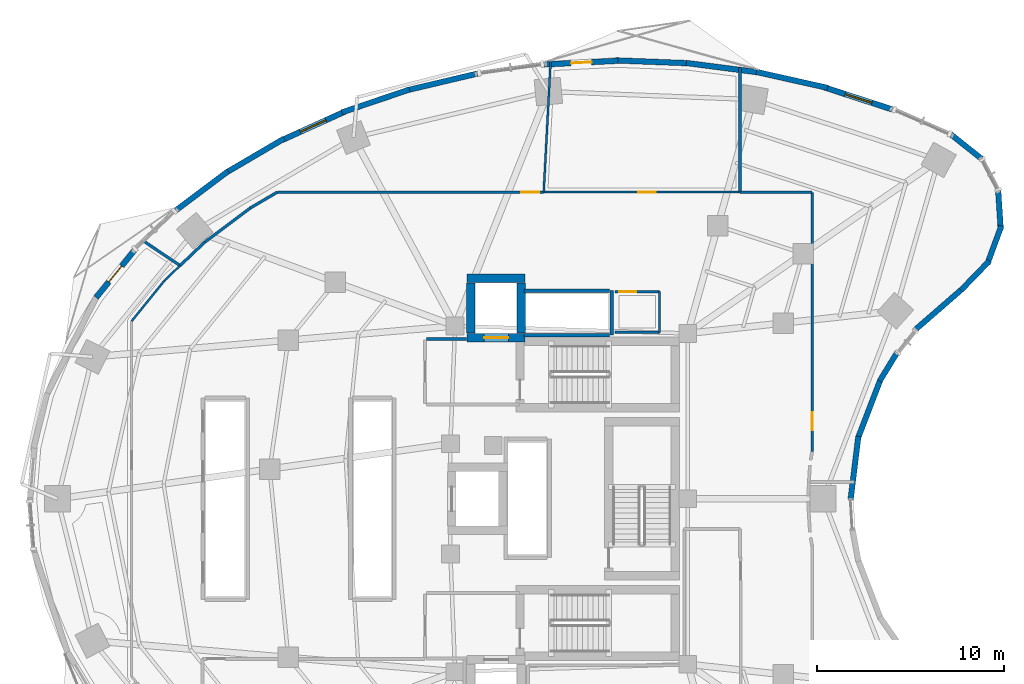
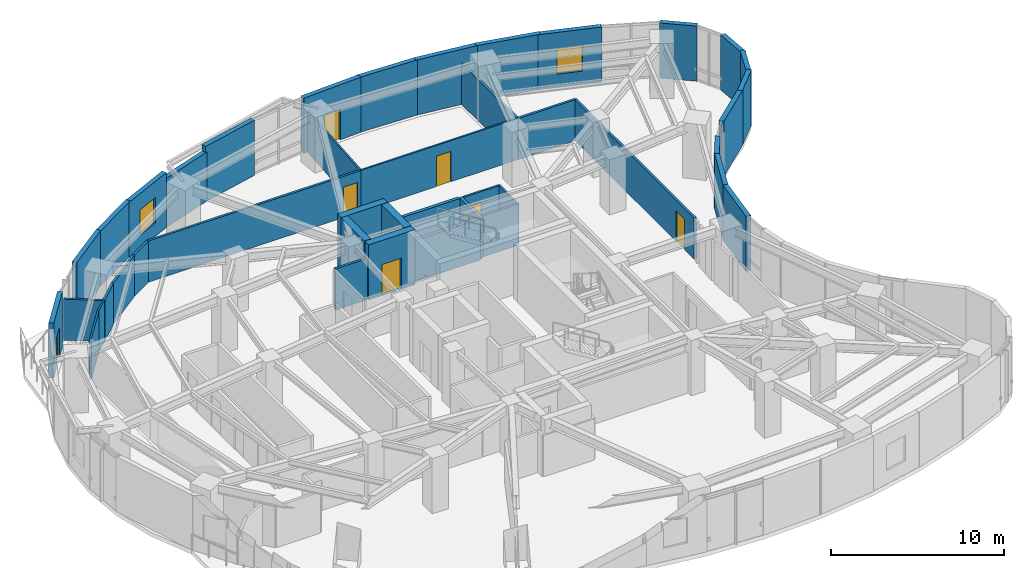
# One storey, part 10 of 14: 42 walls, 7 doors, 2 windows, 9 openings.
"""IFC4 building model written with IfcOpenShell, lengths in metres."""

from ifc_helpers import new_model, si_unit, direction, frame, frame_2d, origin, place, context, subcontext, project, spatial, rectangle, extrude, material, layer, layer_set, type_object, element, fill, save


model = new_model("IFC4")

# Units and contexts
model_context = context("Model", 3, precision=1e-05, world=origin(), true_north=direction((0.0, 1.0)))
body_context = subcontext(model_context, "Body", "Model", "MODEL_VIEW")
ifc_project = project(units=[si_unit("LENGTHUNIT", "METRE"), si_unit("AREAUNIT", "SQUARE_METRE"), si_unit("VOLUMEUNIT", "CUBIC_METRE"), si_unit("PLANEANGLEUNIT", "RADIAN"), si_unit("MASSUNIT", "GRAM", prefix="KILO")], contexts=[model_context])

# Site, building, storey
site_placement = place(None, origin())
site = spatial("IfcSite", under=ifc_project, at=site_placement, CompositionType="ELEMENT")
building_placement = place(site_placement, origin())
building = spatial("IfcBuilding", under=site, at=building_placement, Name="Korentha Bioscience Tower", CompositionType="ELEMENT")
storey_placement = place(building_placement, frame((0.0, 0.0, 63.60009765625)))
storey = spatial("IfcBuildingStorey", under=building, at=storey_placement, Name="L14", CompositionType="ELEMENT", Elevation=63.60009765625)

# Wall, opening, door
ifc_material_1 = material(Name="Double-Stud Acoustic Gypsum", Category="gypsum")
ifc_layer_1 = layer(ifc_material_1, 0.14990234375, Name="Double-Stud Acoustic Gypsum")
ifc_layer_set_1 = layer_set([ifc_layer_1], Name="Double-Stud Acoustic Gypsum (IW-L150)")
wall_type_1 = type_object("IfcWallType", Name="Acoustic Laboratory Partition Wall 150", PredefinedType="PARTITIONING", material=ifc_layer_set_1)
wall_1_placement = place(storey_placement, frame((44.2099609375, 29.529541015625, 0.0), z_axis=(0.0, 0.0, 1.0), x_axis=(0.0, 1.0, 0.0)))
wall_1 = element("IfcWall", 1, at=wall_1_placement, inside=storey, type_object=wall_type_1, Name="L14 Principal Investigator Office 03 Entrance Wall", PredefinedType="PARTITIONING", context=body_context, shape_type="SweptSolid", body=[
    extrude(rectangle(XDim=13.870361328125, YDim=0.14990234375, at=frame_2d((6.93505859375, 0.0))), origin(), (0.0, 0.0, 1.0), 2.909912109375),
])
opening_1_placement = place(wall_1_placement, frame((1.150634765625, 0.0, 0.0)))
opening_1 = element("IfcOpeningElement", 2, at=opening_1_placement, cuts=wall_1, Name="Opening ID-10R", PredefinedType="OPENING", context=body_context, shape_type="SweptSolid", body=[
    extrude(rectangle(XDim=0.949951171875, YDim=2.14990234375, at=frame_2d((0.47509765625, 1.074951171875))), frame((0.0, 0.08984375, 0.0), z_axis=(0.0, -1.0, 0.0), x_axis=(1.0, 0.0, 0.0)), (0.0, 0.0, 1.0), 0.1796875),
])
ifc_material_2 = material(Name="Phenolic Laminate Timber Core", Category="wood")
door_type_1 = type_object("IfcDoorType", Name="Laboratory Single Leaf Door 950x2150 Right", OperationType="SINGLE_SWING_RIGHT", PredefinedType="DOOR", material=ifc_material_2)
door_1_placement = place(opening_1_placement, origin())
door_1 = element("IfcDoor", 3, at=door_1_placement, inside=storey, type_object=door_type_1, Name="L14 Principal Investigator Office 03 Door", OperationType="SINGLE_SWING_RIGHT", OverallHeight=2.14990234375, OverallWidth=0.949951171875, PredefinedType="DOOR", context=body_context, shape_type="SweptSolid", body=[
    extrude(rectangle(XDim=0.949951171875, YDim=2.14990234375, at=frame_2d((0.47509765625, 1.074951171875))), frame((0.0, 0.02490234375, 0.0), z_axis=(0.0, -1.0, 0.0), x_axis=(1.0, 0.0, 0.0)), (0.0, 0.0, 1.0), 0.050048828125),
])
fill(opening_1, door_1)

wall_2_placement = place(storey_placement, frame((29.83349609375, 43.409912109375, 0.0), z_axis=(0.0, 0.0, 1.0), x_axis=(-1.0, 0.0, 0.0)))
wall_2 = element("IfcWall", 4, at=wall_2_placement, inside=storey, type_object=wall_type_1, Name="L14 Sterile Media Preparation Kitchen 05 Entrance Wall", PredefinedType="PARTITIONING", context=body_context, shape_type="SweptSolid", body=[
    extrude(rectangle(XDim=14.24267578125, YDim=0.14990234375, at=frame_2d((7.121337890625, 0.0))), origin(), (0.0, 0.0, 1.0), 2.909912109375),
])
opening_2_placement = place(wall_2_placement, frame((0.239990234375, 0.0, 0.0)))
opening_2 = element("IfcOpeningElement", 5, at=opening_2_placement, cuts=wall_2, Name="Opening ID-10R", PredefinedType="OPENING", context=body_context, shape_type="SweptSolid", body=[
    extrude(rectangle(XDim=0.949951171875, YDim=2.14990234375, at=frame_2d((0.47509765625, 1.074951171875))), frame((0.0, 0.08984375, 0.0), z_axis=(0.0, -1.0, 0.0), x_axis=(1.0, 0.0, 0.0)), (0.0, 0.0, 1.0), 0.1796875),
])
door_2_placement = place(opening_2_placement, origin())
door_2 = element("IfcDoor", 6, at=door_2_placement, inside=storey, type_object=door_type_1, Name="L14 Sterile Media Preparation Kitchen 05 Door", OperationType="SINGLE_SWING_RIGHT", OverallHeight=2.14990234375, OverallWidth=0.949951171875, PredefinedType="DOOR", context=body_context, shape_type="SweptSolid", body=[
    extrude(rectangle(XDim=0.949951171875, YDim=2.14990234375, at=frame_2d((0.47509765625, 1.074951171875))), frame((0.0, 0.02490234375, 0.0), z_axis=(0.0, -1.0, 0.0), x_axis=(1.0, 0.0, 0.0)), (0.0, 0.0, 1.0), 0.050048828125),
])
fill(opening_2, door_2)

# Walls
wall_3_placement = place(storey_placement, frame((44.199951171875, 43.409912109375, 0.0), z_axis=(0.0, 0.0, 1.0), x_axis=(-1.0, 0.0, 0.0)))
element("IfcWall", 7, at=wall_3_placement, inside=storey, type_object=wall_type_1, Name="L14 Interior Partition 036", PredefinedType="PARTITIONING", context=body_context, shape_type="SweptSolid", body=[
    extrude(rectangle(XDim=3.847900390625, YDim=0.14990234375, at=frame_2d((1.923828125, 0.0))), origin(), (0.0, 0.0, 1.0), 2.909912109375),
])
wall_4_placement = place(storey_placement, frame((40.35205078125, 43.409912109375, 0.0), z_axis=(0.0, 0.0, 1.0), x_axis=(0.0, 1.0, 0.0)))
element("IfcWall", 8, at=wall_4_placement, inside=storey, type_object=wall_type_1, Name="L14 Interior Partition 037", PredefinedType="PARTITIONING", context=body_context, shape_type="SweptSolid", body=[
    extrude(rectangle(XDim=6.65869140625, YDim=0.14990234375, at=frame_2d((3.329345703125, 0.0))), origin(), (0.0, 0.0, 1.0), 2.909912109375),
])
wall_5_placement = place(storey_placement, frame((15.585693359375, 43.40869140625, 0.0), z_axis=(0.0, 0.0, 1.0), x_axis=(-0.862446636904, -0.506148000582, 0.0)))
element("IfcWall", 9, at=wall_5_placement, inside=storey, type_object=wall_type_1, Name="L14 Interior Partition 039", PredefinedType="PARTITIONING", context=body_context, shape_type="SweptSolid", body=[
    extrude(rectangle(XDim=1.652099609375, YDim=0.14990234375, at=frame_2d((0.826171875, 0.0))), origin(), (0.0, 0.0, 1.0), 2.909912109375),
])
wall_6_placement = place(storey_placement, frame((14.159912109375, 42.57177734375, 0.0), z_axis=(0.0, 0.0, 1.0), x_axis=(-0.800808090092, -0.598921032227, 0.0)))
element("IfcWall", 10, at=wall_6_placement, inside=storey, type_object=wall_type_1, Name="L14 Interior Partition 040", PredefinedType="PARTITIONING", context=body_context, shape_type="SweptSolid", body=[
    extrude(rectangle(XDim=3.078857421875, YDim=0.14990234375, at=frame_2d((1.53955078125, 0.0))), origin(), (0.0, 0.0, 1.0), 2.909912109375),
])
wall_7_placement = place(storey_placement, frame((11.693359375, 40.72705078125, 0.0), z_axis=(0.0, 0.0, 1.0), x_axis=(-0.723662214514, -0.690154330048, 0.0)))
element("IfcWall", 11, at=wall_7_placement, inside=storey, type_object=wall_type_1, Name="L14 Interior Partition 041", PredefinedType="PARTITIONING", context=body_context, shape_type="SweptSolid", body=[
    extrude(rectangle(XDim=1.806884765625, YDim=0.14990234375, at=frame_2d((0.9033203125, 0.0))), origin(), (0.0, 0.0, 1.0), 2.909912109375),
])
wall_8_placement = place(storey_placement, frame((10.3857421875, 39.47998046875, 0.0), z_axis=(0.0, 0.0, 1.0), x_axis=(-0.830276202789, 0.557352157152, 0.0)))
element("IfcWall", 12, at=wall_8_placement, inside=storey, type_object=wall_type_1, Name="L14 Interior Partition 042", PredefinedType="PARTITIONING", context=body_context, shape_type="SweptSolid", body=[
    extrude(rectangle(XDim=2.461669921875, YDim=0.14990234375, at=frame_2d((1.23095703125, 0.0))), origin(), (0.0, 0.0, 1.0), 2.909912109375),
])

# Wall, opening, door
ifc_material_3 = material(Name="Fire-Rated Framed Glass", Category="glass")
ifc_layer_2 = layer(ifc_material_3, 0.110107421875, Name="Fire-Rated Framed Glass")
ifc_layer_set_2 = layer_set([ifc_layer_2], Name="Fire-Rated Framed Glass (IW-G110)")
wall_type_2 = type_object("IfcWallType", Name="Demountable Glazed Office Partition 110", PredefinedType="MOVABLE", material=ifc_layer_set_2)
wall_9_placement = place(storey_placement, frame((40.342041015625, 43.409912109375, 0.0), z_axis=(0.0, 0.0, 1.0), x_axis=(-1.0, 0.0, 0.0)))
wall_9 = element("IfcWall", 13, at=wall_9_placement, inside=storey, type_object=wall_type_2, Name="L14 Research Colloquium Seminar Room 04 Entrance Wall", PredefinedType="MOVABLE", context=body_context, shape_type="SweptSolid", body=[
    extrude(rectangle(XDim=10.49853515625, YDim=0.110107421875, at=frame_2d((5.249267578125, 0.0))), origin(), (0.0, 0.0, 1.0), 2.909912109375),
])
opening_3_placement = place(wall_9_placement, frame((4.49853515625, 0.0, 0.0)))
opening_3 = element("IfcOpeningElement", 14, at=opening_3_placement, cuts=wall_9, Name="Opening ID-10L", PredefinedType="OPENING", context=body_context, shape_type="SweptSolid", body=[
    extrude(rectangle(XDim=0.949951171875, YDim=2.14990234375, at=frame_2d((0.47509765625, 1.074951171875))), frame((0.0, 0.06982421875, 0.0), z_axis=(0.0, -1.0, 0.0), x_axis=(1.0, 0.0, 0.0)), (0.0, 0.0, 1.0), 0.139892578125),
])
door_type_2 = type_object("IfcDoorType", Name="Laboratory Single Leaf Door 950x2150 Left", OperationType="SINGLE_SWING_LEFT", PredefinedType="DOOR", material=ifc_material_2)
door_3_placement = place(opening_3_placement, origin())
door_3 = element("IfcDoor", 15, at=door_3_placement, inside=storey, type_object=door_type_2, Name="L14 Research Colloquium Seminar Room 04 Door", OperationType="SINGLE_SWING_LEFT", OverallHeight=2.14990234375, OverallWidth=0.949951171875, PredefinedType="DOOR", context=body_context, shape_type="SweptSolid", body=[
    extrude(rectangle(XDim=0.949951171875, YDim=2.14990234375, at=frame_2d((0.47509765625, 1.074951171875))), frame((0.0, 0.02490234375, 0.0), z_axis=(0.0, -1.0, 0.0), x_axis=(1.0, 0.0, 0.0)), (0.0, 0.0, 1.0), 0.050048828125),
])
fill(opening_3, door_3)

# Walls
wall_10_placement = place(storey_placement, frame((29.843505859375, 43.409912109375, 0.0), z_axis=(0.0, 0.0, 1.0), x_axis=(0.052809646161, 0.998604597061, 0.0)))
element("IfcWall", 16, at=wall_10_placement, inside=storey, type_object=wall_type_2, Name="L14 Interior Partition 038", PredefinedType="MOVABLE", context=body_context, shape_type="SweptSolid", body=[
    extrude(rectangle(XDim=6.999267578125, YDim=0.110107421875, at=frame_2d((3.49951171875, 0.0))), origin(), (0.0, 0.0, 1.0), 2.909912109375),
])
wall_11_placement = place(storey_placement, frame((10.37841796875, 39.472900390625, 0.0), z_axis=(0.0, 0.0, 1.0), x_axis=(-0.723760277906, -0.690051490924, 0.0)))
element("IfcWall", 17, at=wall_11_placement, inside=storey, type_object=wall_type_2, Name="L14 Interior Partition 043", PredefinedType="MOVABLE", context=body_context, shape_type="SweptSolid", body=[
    extrude(rectangle(XDim=1.12255859375, YDim=0.110107421875, at=frame_2d((0.561279296875, 0.0))), origin(), (0.0, 0.0, 1.0), 2.909912109375),
])
wall_12_placement = place(storey_placement, frame((9.565185546875, 38.697265625, 0.0), z_axis=(0.0, 0.0, 1.0), x_axis=(-0.629270515505, -0.777186347227, 0.0)))
element("IfcWall", 18, at=wall_12_placement, inside=storey, type_object=wall_type_2, Name="L14 Interior Partition 044", PredefinedType="MOVABLE", context=body_context, shape_type="SweptSolid", body=[
    extrude(rectangle(XDim=2.8173828125, YDim=0.110107421875, at=frame_2d((1.40869140625, 0.0))), origin(), (0.0, 0.0, 1.0), 2.909912109375),
])
ifc_material_4 = material(Name="Gypsum-Clad Steel Stud", Category="steel")
ifc_layer_3 = layer(ifc_material_4, 0.159912109375, Name="Gypsum-Clad Steel Stud")
ifc_layer_set_3 = layer_set([ifc_layer_3], Name="Gypsum-Clad Steel Stud (IW-C160)")
wall_type_3 = type_object("IfcWallType", Name="Fire-Rated Corridor Partition Wall 160", PredefinedType="PARTITIONING", material=ifc_layer_set_3)
wall_13_placement = place(storey_placement, frame((23.580078125, 35.550048828125, 0.0), z_axis=(0.0, 0.0, 1.0), x_axis=(1.0, 0.0, 0.0)))
element("IfcWall", 19, at=wall_13_placement, inside=storey, type_object=wall_type_3, Name="L14 Firefighting Lobby Return Wall FFLN-N", PredefinedType="PARTITIONING", context=body_context, shape_type="SweptSolid", body=[
    extrude(rectangle(XDim=2.119873046875, YDim=0.159912109375, at=frame_2d((1.06005859375, 0.0))), origin(), (0.0, 0.0, 1.0), 2.909912109375),
])

# Wall, opening, window
ifc_material_5 = material(Name="Honed Limestone Precast Concrete C40", Category="masonry")
ifc_layer_4 = layer(ifc_material_5, 0.300048828125, Name="Honed Limestone Precast Concrete C40")
ifc_layer_set_4 = layer_set([ifc_layer_4], Name="Honed Limestone Precast Concrete C40 (EW-ST300)")
wall_type_4 = type_object("IfcWallType", Name="Honed Limestone Cavity Spandrel Wall 300", PredefinedType="STANDARD", material=ifc_layer_set_4)
wall_14_placement = place(storey_placement, frame((48.49951171875, 47.836181640625, 0.0), z_axis=(0.0, 0.0, 1.0), x_axis=(-0.950958033078, 0.30931993037, 0.0)))
wall_14 = element("IfcWall", 20, at=wall_14_placement, inside=storey, type_object=wall_type_4, Name="L14 Honed Limestone Spandrel Wall 02", PredefinedType="STANDARD", context=body_context, shape_type="SweptSolid", body=[
    extrude(rectangle(XDim=3.80029296875, YDim=0.300048828125, at=frame_2d((1.900146484375, 0.0))), origin(), (0.0, 0.0, 1.0), 3.89990234375),
])
opening_4_placement = place(wall_14_placement, frame((1.150146484375, 0.0, 0.949951171875)))
opening_4 = element("IfcOpeningElement", 21, at=opening_4_placement, cuts=wall_14, Name="Opening WN-02", PredefinedType="OPENING", context=body_context, shape_type="SweptSolid", body=[
    extrude(rectangle(XDim=1.5, YDim=1.800048828125, at=frame_2d((0.75, 0.89990234375))), frame((0.0, 0.1650390625, 0.0), z_axis=(0.0, -1.0, 0.0), x_axis=(1.0, 0.0, 0.0)), (0.0, 0.0, 1.0), 0.329833984375),
])
ifc_material_6 = material(Name="Thermally Broken Aluminium Triple Glazing", Category="aluminium")
window_type = type_object("IfcWindowType", Name="Acoustic Operable Office Window 1500x1800", PartitioningType="DOUBLE_PANEL_VERTICAL", PredefinedType="WINDOW", material=ifc_material_6)
window_1_placement = place(opening_4_placement, origin())
window_1 = element("IfcWindow", 22, at=window_1_placement, inside=storey, type_object=window_type, Name="L14 Facade Window 02", OverallHeight=1.800048828125, OverallWidth=1.5, PartitioningType="DOUBLE_PANEL_VERTICAL", PredefinedType="WINDOW", context=body_context, shape_type="SweptSolid", body=[
    extrude(rectangle(XDim=1.5, YDim=1.800048828125, at=frame_2d((0.75, 0.89990234375))), frame((0.0, 0.030029296875, 0.0), z_axis=(0.0, -1.0, 0.0), x_axis=(1.0, 0.0, 0.0)), (0.0, 0.0, 1.0), 0.06005859375),
])
fill(opening_4, window_1)

# Wall, opening, door
wall_15_placement = place(storey_placement, frame((33.8212890625, 50.4423828125, 0.0), z_axis=(0.0, 0.0, 1.0), x_axis=(-0.99873153138, -0.050352042933, 0.0)))
wall_15 = element("IfcWall", 23, at=wall_15_placement, inside=storey, type_object=wall_type_4, Name="L14 Balcony Threshold Wall 01", PredefinedType="STANDARD", context=body_context, shape_type="SweptSolid", body=[
    extrude(rectangle(XDim=3.93701171875, YDim=0.300048828125, at=frame_2d((1.968505859375, 0.0))), origin(), (0.0, 0.0, 1.0), 3.89990234375),
])
opening_5_placement = place(wall_15_placement, frame((1.418701171875, 0.0, 0.0)))
opening_5 = element("IfcOpeningElement", 24, at=opening_5_placement, cuts=wall_15, Name="Opening BD-11L", PredefinedType="OPENING", context=body_context, shape_type="SweptSolid", body=[
    extrude(rectangle(XDim=1.10009765625, YDim=2.14990234375, at=frame_2d((0.550048828125, 1.074951171875))), frame((0.0, 0.1650390625, 0.0), z_axis=(0.0, -1.0, 0.0), x_axis=(1.0, 0.0, 0.0)), (0.0, 0.0, 1.0), 0.329833984375),
])
ifc_material_7 = material(Name="Thermally Broken Glazed Aluminium", Category="aluminium")
door_type_3 = type_object("IfcDoorType", Name="Balcony Terrace Glazed Door 1100x2150 Left", OperationType="SINGLE_SWING_LEFT", PredefinedType="DOOR", material=ifc_material_7)
door_4_placement = place(opening_5_placement, origin())
door_4 = element("IfcDoor", 25, at=door_4_placement, inside=storey, type_object=door_type_3, Name="L14 Balcony Access Door 01", OperationType="SINGLE_SWING_LEFT", OverallHeight=2.14990234375, OverallWidth=1.10009765625, PredefinedType="DOOR", context=body_context, shape_type="SweptSolid", body=[
    extrude(rectangle(XDim=1.10009765625, YDim=2.14990234375, at=frame_2d((0.550048828125, 1.074951171875))), frame((0.0, 0.02490234375, 0.0), z_axis=(0.0, -1.0, 0.0), x_axis=(1.0, 0.0, 0.0)), (0.0, 0.0, 1.0), 0.050048828125),
])
fill(opening_5, door_4)

# Wall, opening, window
wall_16_placement = place(storey_placement, frame((19.19140625, 47.716796875, 0.0), z_axis=(0.0, 0.0, 1.0), x_axis=(-0.910608120407, -0.413270917254, 0.0)))
wall_16 = element("IfcWall", 26, at=wall_16_placement, inside=storey, type_object=wall_type_4, Name="L14 Honed Limestone Spandrel Wall 10", PredefinedType="STANDARD", context=body_context, shape_type="SweptSolid", body=[
    extrude(rectangle(XDim=3.699951171875, YDim=0.300048828125, at=frame_2d((1.85009765625, 0.0))), origin(), (0.0, 0.0, 1.0), 3.89990234375),
])
opening_6_placement = place(wall_16_placement, frame((1.10009765625, 0.0, 0.949951171875)))
opening_6 = element("IfcOpeningElement", 27, at=opening_6_placement, cuts=wall_16, Name="Opening WN-02", PredefinedType="OPENING", context=body_context, shape_type="SweptSolid", body=[
    extrude(rectangle(XDim=1.5, YDim=1.800048828125, at=frame_2d((0.75, 0.89990234375))), frame((0.0, 0.1650390625, 0.0), z_axis=(0.0, -1.0, 0.0), x_axis=(1.0, 0.0, 0.0)), (0.0, 0.0, 1.0), 0.329833984375),
])
window_2_placement = place(opening_6_placement, origin())
window_2 = element("IfcWindow", 28, at=window_2_placement, inside=storey, type_object=window_type, Name="L14 Facade Window 10", OverallHeight=1.800048828125, OverallWidth=1.5, PartitioningType="DOUBLE_PANEL_VERTICAL", PredefinedType="WINDOW", context=body_context, shape_type="SweptSolid", body=[
    extrude(rectangle(XDim=1.5, YDim=1.800048828125, at=frame_2d((0.75, 0.89990234375))), frame((0.0, 0.030029296875, 0.0), z_axis=(0.0, -1.0, 0.0), x_axis=(1.0, 0.0, 0.0)), (0.0, 0.0, 1.0), 0.06005859375),
])
fill(opening_6, window_2)

# Wall, opening, door
wall_17_placement = place(storey_placement, frame((7.9375, 40.294189453125, 0.0), z_axis=(0.0, 0.0, 1.0), x_axis=(-0.629295540187, -0.777166084631, 0.0)))
wall_17 = element("IfcWall", 29, at=wall_17_placement, inside=storey, type_object=wall_type_4, Name="L14 Balcony Threshold Wall 02", PredefinedType="STANDARD", context=body_context, shape_type="SweptSolid", body=[
    extrude(rectangle(XDim=3.24755859375, YDim=0.300048828125, at=frame_2d((1.623779296875, 0.0))), origin(), (0.0, 0.0, 1.0), 3.89990234375),
])
opening_7_placement = place(wall_17_placement, frame((1.07373046875, 0.0, 0.0)))
opening_7 = element("IfcOpeningElement", 30, at=opening_7_placement, cuts=wall_17, Name="Opening BD-11R", PredefinedType="OPENING", context=body_context, shape_type="SweptSolid", body=[
    extrude(rectangle(XDim=1.10009765625, YDim=2.14990234375, at=frame_2d((0.550048828125, 1.074951171875))), frame((0.0, 0.1650390625, 0.0), z_axis=(0.0, -1.0, 0.0), x_axis=(1.0, 0.0, 0.0)), (0.0, 0.0, 1.0), 0.329833984375),
])
door_type_4 = type_object("IfcDoorType", Name="Balcony Terrace Glazed Door 1100x2150 Right", OperationType="SINGLE_SWING_RIGHT", PredefinedType="DOOR", material=ifc_material_7)
door_5_placement = place(opening_7_placement, origin())
door_5 = element("IfcDoor", 31, at=door_5_placement, inside=storey, type_object=door_type_4, Name="L14 Balcony Access Door 02", OperationType="SINGLE_SWING_RIGHT", OverallHeight=2.14990234375, OverallWidth=1.10009765625, PredefinedType="DOOR", context=body_context, shape_type="SweptSolid", body=[
    extrude(rectangle(XDim=1.10009765625, YDim=2.14990234375, at=frame_2d((0.550048828125, 1.074951171875))), frame((0.0, 0.02490234375, 0.0), z_axis=(0.0, -1.0, 0.0), x_axis=(1.0, 0.0, 0.0)), (0.0, 0.0, 1.0), 0.050048828125),
])
fill(opening_7, door_5)

# Walls
wall_18_placement = place(storey_placement, frame((45.03955078125, 48.9912109375, 0.0), z_axis=(0.0, 0.0, 1.0), x_axis=(-0.975868573345, 0.218358713032, 0.0)))
element("IfcWall", 32, at=wall_18_placement, inside=storey, type_object=wall_type_4, Name="L14 Limestone Perimeter Closure Wall 03", PredefinedType="STANDARD", context=body_context, shape_type="SweptSolid", body=[
    extrude(rectangle(XDim=3.90869140625, YDim=0.300048828125, at=frame_2d((1.954345703125, 0.0))), origin(), (0.0, 0.0, 1.0), 3.89990234375),
])
wall_19_placement = place(storey_placement, frame((41.39501953125, 49.814697265625, 0.0), z_axis=(0.0, 0.0, 1.0), x_axis=(-0.991734095036, 0.128310111617, 0.0)))
element("IfcWall", 33, at=wall_19_placement, inside=storey, type_object=wall_type_4, Name="L14 Limestone Perimeter Closure Wall 04", PredefinedType="STANDARD", context=body_context, shape_type="SweptSolid", body=[
    extrude(rectangle(XDim=3.955810546875, YDim=0.300048828125, at=frame_2d((1.97802734375, 0.0))), origin(), (0.0, 0.0, 1.0), 3.89990234375),
])
wall_20_placement = place(storey_placement, frame((37.643798828125, 50.307861328125, 0.0), z_axis=(0.0, 0.0, 1.0), x_axis=(-0.999245411623, 0.038840794937, 0.0)))
element("IfcWall", 34, at=wall_20_placement, inside=storey, type_object=wall_type_4, Name="L14 Limestone Perimeter Closure Wall 05", PredefinedType="STANDARD", context=body_context, shape_type="SweptSolid", body=[
    extrude(rectangle(XDim=3.978759765625, YDim=0.300048828125, at=frame_2d((1.9892578125, 0.0))), origin(), (0.0, 0.0, 1.0), 3.89990234375),
])
wall_21_placement = place(storey_placement, frame((26.29736328125, 49.7587890625, 0.0), z_axis=(0.0, 0.0, 1.0), x_axis=(-0.973197600754, -0.229970497863, 0.0)))
element("IfcWall", 35, at=wall_21_placement, inside=storey, type_object=wall_type_4, Name="L14 Limestone Perimeter Closure Wall 08", PredefinedType="STANDARD", context=body_context, shape_type="SweptSolid", body=[
    extrude(rectangle(XDim=3.9013671875, YDim=0.300048828125, at=frame_2d((1.95068359375, 0.0))), origin(), (0.0, 0.0, 1.0), 3.89990234375),
])
wall_22_placement = place(storey_placement, frame((22.6669921875, 48.9091796875, 0.0), z_axis=(0.0, 0.0, 1.0), x_axis=(-0.94702579403, -0.321157508773, 0.0)))
element("IfcWall", 36, at=wall_22_placement, inside=storey, type_object=wall_type_4, Name="L14 Limestone Perimeter Closure Wall 09", PredefinedType="STANDARD", context=body_context, shape_type="SweptSolid", body=[
    extrude(rectangle(XDim=3.829833984375, YDim=0.300048828125, at=frame_2d((1.9150390625, 0.0))), origin(), (0.0, 0.0, 1.0), 3.469970703125),
])
wall_23_placement = place(storey_placement, frame((15.95068359375, 46.27783203125, 0.0), z_axis=(0.0, 0.0, 1.0), x_axis=(-0.8624654944, -0.506115867139, 0.0)))
element("IfcWall", 37, at=wall_23_placement, inside=storey, type_object=wall_type_4, Name="L14 Limestone Perimeter Closure Wall 11", PredefinedType="STANDARD", context=body_context, shape_type="SweptSolid", body=[
    extrude(rectangle(XDim=3.63525390625, YDim=0.300048828125, at=frame_2d((1.817626953125, 0.0))), origin(), (0.0, 0.0, 1.0), 3.89990234375),
])
wall_24_placement = place(storey_placement, frame((12.96142578125, 44.53515625, 0.0), z_axis=(0.0, 0.0, 1.0), x_axis=(-0.800823020995, -0.598901067827, 0.0)))
element("IfcWall", 38, at=wall_24_placement, inside=storey, type_object=wall_type_4, Name="L14 Limestone Perimeter Closure Wall 12", PredefinedType="STANDARD", context=body_context, shape_type="SweptSolid", body=[
    extrude(rectangle(XDim=3.520751953125, YDim=0.300048828125, at=frame_2d((1.76025390625, 0.0))), origin(), (0.0, 0.0, 1.0), 3.89990234375),
])
for number, where, z_axis, x_axis, name in (
    (39, (46.26708984375, 26.937744140625, 0.0), (0.0, 0.0, 1.0), (0.121870386032, 0.992546023622, 0.0), "L14 Limestone Perimeter Closure Wall 50"),
    (40, (46.65478515625, 30.220703125, 0.0), (0.0, 0.0, 1.0), (0.358344570513, 0.933589400531, 0.0), "L14 Limestone Perimeter Closure Wall 52"),
):
    element("IfcWall", number, at=place(storey_placement, frame(where, z_axis=z_axis, x_axis=x_axis)), inside=storey, type_object=wall_type_4, Name=name, PredefinedType="STANDARD", context=body_context, shape_type="SweptSolid", body=[
        extrude(rectangle(XDim=3.4296875, YDim=0.300048828125, at=frame_2d((1.71484375, 0.0))), origin(), (0.0, 0.0, 1.0), 3.89990234375),
    ])
wall_25_placement = place(storey_placement, frame((47.82470703125, 33.302734375, 0.0), z_axis=(0.0, 0.0, 1.0), x_axis=(0.522520662875, 0.852626622191, 0.0)))
element("IfcWall", 41, at=wall_25_placement, inside=storey, type_object=wall_type_4, Name="L14 Limestone Perimeter Closure Wall 54", PredefinedType="STANDARD", context=body_context, shape_type="SweptSolid", body=[
    extrude(rectangle(XDim=1.7978515625, YDim=0.300048828125, at=frame_2d((0.89892578125, 0.0))), origin(), (0.0, 0.0, 1.0), 3.89990234375),
])
wall_26_placement = place(storey_placement, frame((49.708984375, 36.029296875, 0.0), z_axis=(0.0, 0.0, 1.0), x_axis=(0.754746490246, 0.656016566454, 0.0)))
element("IfcWall", 42, at=wall_26_placement, inside=storey, type_object=wall_type_4, Name="L14 Limestone Perimeter Closure Wall 56", PredefinedType="STANDARD", context=body_context, shape_type="SweptSolid", body=[
    extrude(rectangle(XDim=3.4296875, YDim=0.300048828125, at=frame_2d((1.71484375, 0.0))), origin(), (0.0, 0.0, 1.0), 3.89990234375),
])
wall_27_placement = place(storey_placement, frame((52.1728515625, 38.1611328125, 0.0), z_axis=(0.0, 0.0, 1.0), x_axis=(0.695404695719, 0.718618333451, 0.0)))
element("IfcWall", 43, at=wall_27_placement, inside=storey, type_object=wall_type_4, Name="L14 Limestone Perimeter Closure Wall 58", PredefinedType="STANDARD", context=body_context, shape_type="SweptSolid", body=[
    extrude(rectangle(XDim=2.1875, YDim=0.300048828125, at=frame_2d((1.09375, 0.0))), origin(), (0.0, 0.0, 1.0), 3.89990234375),
])
for number, where, z_axis, x_axis, name in (
    (44, (53.580078125, 39.551513671875, 0.0), (0.0, 0.0, 1.0), (0.344939866054, 0.938624785954, 0.0), "L14 Limestone Perimeter Closure Wall 59"),
    (45, (54.303955078125, 41.392578125, 0.0), (0.0, 0.0, 1.0), (-0.064615302336, 0.99791024782, 0.0), "L14 Limestone Perimeter Closure Wall 60"),
    (46, (53.343994140625, 45.142822265625, 0.0), (0.0, 0.0, 1.0), (-0.782282158644, 0.622924252432, 0.0), "L14 Limestone Perimeter Closure Wall 62"),
):
    element("IfcWall", number, at=place(storey_placement, frame(where, z_axis=z_axis, x_axis=x_axis)), inside=storey, type_object=wall_type_4, Name=name, PredefinedType="STANDARD", context=body_context, shape_type="SweptSolid", body=[
        extrude(rectangle(XDim=2.187744140625, YDim=0.300048828125, at=frame_2d((1.09375, 0.0))), origin(), (0.0, 0.0, 1.0), 3.89990234375),
    ])
ifc_material_8 = material(Name="Autoclaved Aerated Concrete Block C25", Category="concrete")
ifc_layer_5 = layer(ifc_material_8, 0.199951171875, Name="Autoclaved Aerated Concrete Block C25")
ifc_layer_set_5 = layer_set([ifc_layer_5], Name="Autoclaved Aerated Concrete Block C25 (IW-S200)")
wall_type_5 = type_object("IfcWallType", Name="Lift and Riser Shaft Enclosure Wall 200", PredefinedType="PARTITIONING", material=ifc_layer_set_5)
wall_28_placement = place(storey_placement, frame((33.489990234375, 35.760009765625, 0.0), z_axis=(0.0, 0.0, 1.0), x_axis=(0.0, 1.0, 0.0)))
element("IfcWall", 47, at=wall_28_placement, inside=storey, type_object=wall_type_5, Name="L14 Lift Bank OBS Shaft Wall +X", PredefinedType="PARTITIONING", context=body_context, shape_type="SweptSolid", body=[
    extrude(rectangle(XDim=2.3798828125, YDim=0.199951171875, at=frame_2d((1.18994140625, 0.0))), origin(), (0.0, 0.0, 1.0), 2.909912109375),
])
for number, where, z_axis, x_axis, name in (
    (48, (28.800048828125, 35.760009765625, 0.0), (0.0, 0.0, 1.0), (1.0, 0.0, 0.0), "L14 Lift Bank OBS Shaft Wall -Y"),
    (49, (28.800048828125, 38.139892578125, 0.0), (0.0, 0.0, 1.0), (1.0, 0.0, 0.0), "L14 Lift Bank OBS Shaft Wall +Y"),
):
    element("IfcWall", number, at=place(storey_placement, frame(where, z_axis=z_axis, x_axis=x_axis)), inside=storey, type_object=wall_type_5, Name=name, PredefinedType="PARTITIONING", context=body_context, shape_type="SweptSolid", body=[
        extrude(rectangle(XDim=4.570068359375, YDim=0.199951171875, at=frame_2d((2.28515625, 0.0))), origin(), (0.0, 0.0, 1.0), 2.909912109375),
    ])
ifc_material_9 = material(Name="Concrete C80", Category="concrete")
ifc_layer_6 = layer(ifc_material_9, 0.449951171875, Name="Concrete C80")
ifc_layer_set_6 = layer_set([ifc_layer_6], Name="Concrete C80 (CW-C80)")
wall_type_6 = type_object("IfcWallType", Name="Lower Core Shear Wall 450", PredefinedType="SHEAR", material=ifc_layer_set_6)
wall_29_placement = place(storey_placement, frame((25.75, 38.800048828125, 0.0), z_axis=(0.0, 0.0, 1.0), x_axis=(1.0, 0.0, 0.0)))
element("IfcWall", 50, at=wall_29_placement, inside=storey, type_object=wall_type_6, Name="L14 Core Shear Wall FFL2-N", PredefinedType="SHEAR", context=body_context, shape_type="SweptSolid", body=[
    extrude(rectangle(XDim=3.10009765625, YDim=0.449951171875, at=frame_2d((1.550048828125, 0.0))), origin(), (0.0, 0.0, 1.0), 3.89990234375),
])

# Wall, opening, door
wall_30_placement = place(storey_placement, frame((25.75, 35.6201171875, 0.0), z_axis=(0.0, 0.0, 1.0), x_axis=(1.0, 0.0, 0.0)))
wall_30 = element("IfcWall", 51, at=wall_30_placement, inside=storey, type_object=wall_type_6, Name="L14 Core Shear Wall FFL2-S", PredefinedType="SHEAR", context=body_context, shape_type="SweptSolid", body=[
    extrude(rectangle(XDim=3.10009765625, YDim=0.449951171875, at=frame_2d((1.550048828125, 0.0))), origin(), (0.0, 0.0, 1.0), 3.89990234375),
])
opening_8_placement = place(wall_30_placement, frame((0.89990234375, 0.0, 0.0)))
opening_8 = element("IfcOpeningElement", 52, at=opening_8_placement, cuts=wall_30, Name="Opening LD-13", PredefinedType="OPENING", context=body_context, shape_type="SweptSolid", body=[
    extrude(rectangle(XDim=1.300048828125, YDim=2.199951171875, at=frame_2d((0.64990234375, 1.10009765625))), frame((0.0, 0.23974609375, 0.0), z_axis=(0.0, -1.0, 0.0), x_axis=(1.0, 0.0, 0.0)), (0.0, 0.0, 1.0), 0.479736328125),
])
ifc_material_10 = material(Name="Brushed Stainless Steel 316", Category="steel")
door_type_5 = type_object("IfcDoorType", Name="Service & Firefighting Lift Landing Door 1300x2300", OperationType="DOUBLE_DOOR_SLIDING", PredefinedType="DOOR", material=ifc_material_10)
door_6_placement = place(opening_8_placement, origin())
door_6 = element("IfcDoor", 53, at=door_6_placement, inside=storey, type_object=door_type_5, Name="L14 FFL-2 Sliding Lift Landing Door", OperationType="DOUBLE_DOOR_SLIDING", OverallHeight=2.199951171875, OverallWidth=1.300048828125, PredefinedType="DOOR", context=body_context, shape_type="SweptSolid", body=[
    extrude(rectangle(XDim=1.300048828125, YDim=2.199951171875, at=frame_2d((0.64990234375, 1.10009765625))), frame((0.0, 0.02490234375, 0.0), z_axis=(0.0, -1.0, 0.0), x_axis=(1.0, 0.0, 0.0)), (0.0, 0.0, 1.0), 0.050048828125),
])
fill(opening_8, door_6)

# Walls
for number, where, z_axis, x_axis, name in (
    (54, (25.949951171875, 35.860107421875, 0.0), (0.0, 0.0, 1.0), (0.0, 1.0, 0.0), "L14 Core Shear Wall FFL2-W"),
    (55, (28.64990234375, 35.860107421875, 0.0), (0.0, 0.0, 1.0), (0.0, 1.0, 0.0), "L14 Core Shear Wall FFL2-E"),
):
    element("IfcWall", number, at=place(storey_placement, frame(where, z_axis=z_axis, x_axis=x_axis)), inside=storey, type_object=wall_type_6, Name=name, PredefinedType="SHEAR", context=body_context, shape_type="SweptSolid", body=[
        extrude(rectangle(XDim=2.699951171875, YDim=0.449951171875, at=frame_2d((1.35009765625, 0.0))), origin(), (0.0, 0.0, 1.0), 3.89990234375),
    ])

# Wall, opening, door
ifc_material_11 = material(Name="Cement-Board Steel Stud", Category="steel")
ifc_layer_7 = layer(ifc_material_11, 0.1298828125, Name="Cement-Board Steel Stud")
ifc_layer_set_7 = layer_set([ifc_layer_7], Name="Cement-Board Steel Stud (IW-W130)")
wall_type_7 = type_object("IfcWallType", Name="Wet-Area Moisture-Resistant Partition 130", PredefinedType="PARTITIONING", material=ifc_layer_set_7)
wall_31_placement = place(storey_placement, frame((33.64990234375, 38.090087890625, 0.0), z_axis=(0.0, 0.0, 1.0), x_axis=(0.999999994783, -0.000102145045, 0.0)))
wall_31 = element("IfcWall", 56, at=wall_31_placement, inside=storey, type_object=wall_type_7, Name="L14 Accessible Staff WC Entrance Wall", PredefinedType="PARTITIONING", context=body_context, shape_type="SweptSolid", body=[
    extrude(rectangle(XDim=2.39013671875, YDim=0.1298828125, at=frame_2d((1.195068359375, 0.0))), origin(), (0.0, 0.0, 1.0), 2.909912109375),
])
opening_9_placement = place(wall_31_placement, frame((0.239990234375, 0.0, 0.0)))
opening_9 = element("IfcOpeningElement", 57, at=opening_9_placement, cuts=wall_31, Name="Opening ID-09L", PredefinedType="OPENING", context=body_context, shape_type="SweptSolid", body=[
    extrude(rectangle(XDim=0.89990234375, YDim=2.14990234375, at=frame_2d((0.449951171875, 1.074951171875))), frame((0.0, 0.079833984375, 0.0), z_axis=(0.0, -1.0, 0.0), x_axis=(1.0, 0.0, 0.0)), (0.0, 0.0, 1.0), 0.15966796875),
])
ifc_material_12 = material(Name="Moisture-Resistant HPL Leaf", Category="wood")
door_type_6 = type_object("IfcDoorType", Name="Restroom & Accessible WC Door 900x2150 Left", OperationType="SINGLE_SWING_LEFT", PredefinedType="DOOR", material=ifc_material_12)
door_7_placement = place(opening_9_placement, origin())
door_7 = element("IfcDoor", 58, at=door_7_placement, inside=storey, type_object=door_type_6, Name="L14 Accessible Staff WC Door", OperationType="SINGLE_SWING_LEFT", OverallHeight=2.14990234375, OverallWidth=0.89990234375, PredefinedType="DOOR", context=body_context, shape_type="SweptSolid", body=[
    extrude(rectangle(XDim=0.89990234375, YDim=2.14990234375, at=frame_2d((0.449951171875, 1.074951171875))), frame((0.0, 0.02490234375, 0.0), z_axis=(0.0, -1.0, 0.0), x_axis=(1.0, 0.0, 0.0)), (0.0, 0.0, 1.0), 0.050048828125),
])
fill(opening_9, door_7)

# Walls
wall_32_placement = place(storey_placement, frame((36.0400390625, 38.08984375, 0.0), z_axis=(0.0, 0.0, 1.0), x_axis=(0.0, -1.0, 0.0)))
element("IfcWall", 59, at=wall_32_placement, inside=storey, type_object=wall_type_7, Name="L14 Interior Partition 008", PredefinedType="PARTITIONING", context=body_context, shape_type="SweptSolid", body=[
    extrude(rectangle(XDim=2.179931640625, YDim=0.1298828125, at=frame_2d((1.08984375, 0.0))), origin(), (0.0, 0.0, 1.0), 2.909912109375),
])
wall_33_placement = place(storey_placement, frame((36.0400390625, 35.909912109375, 0.0), z_axis=(0.0, 0.0, 1.0), x_axis=(-1.0, 0.0, 0.0)))
element("IfcWall", 60, at=wall_33_placement, inside=storey, type_object=wall_type_7, Name="L14 Interior Partition 009", PredefinedType="PARTITIONING", context=body_context, shape_type="SweptSolid", body=[
    extrude(rectangle(XDim=2.39013671875, YDim=0.1298828125, at=frame_2d((1.195068359375, 0.0))), origin(), (0.0, 0.0, 1.0), 2.909912109375),
])

save(model, "model.ifc")
